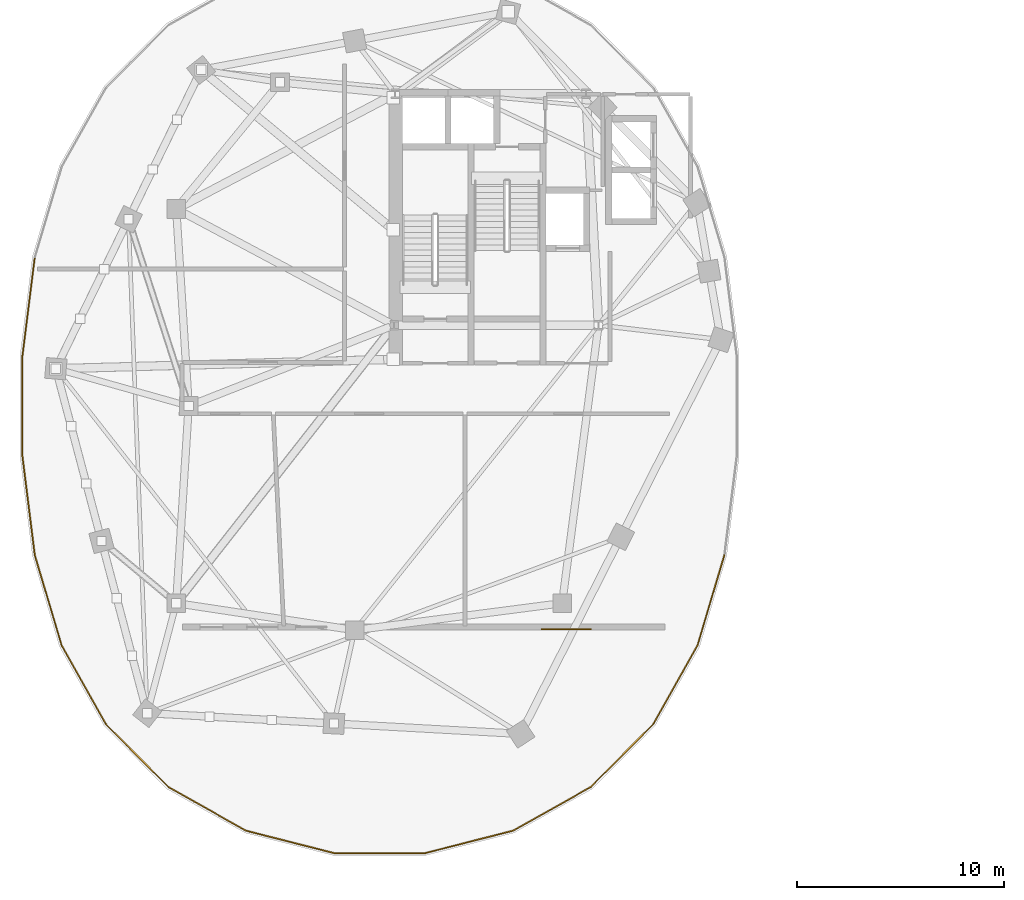
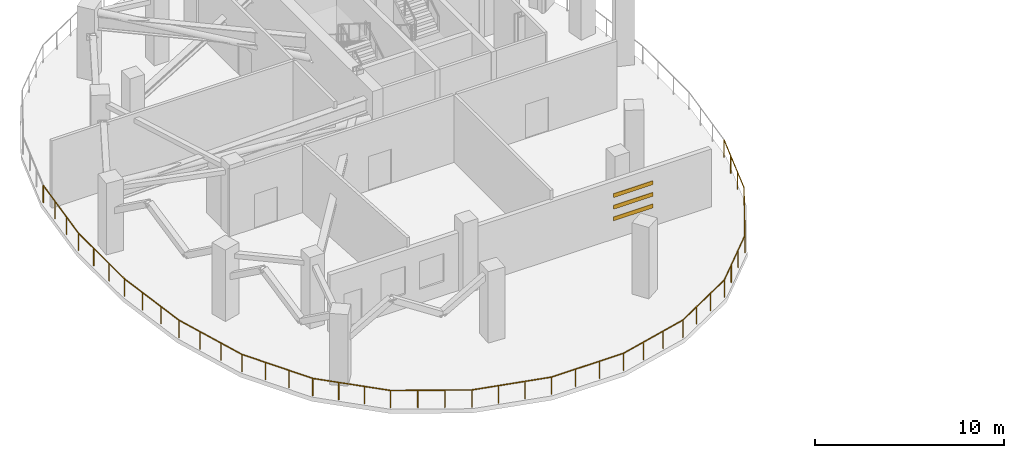
# One storey, part 10 of 14: 7 railings, 3 shading devices.
"""IFC4 building model written with IfcOpenShell, lengths in metres."""

from ifc_helpers import new_model, si_unit, direction, frame, origin, origin_2d, place, context, subcontext, project, spatial, rectangle, extrude, material, material_profile, profile_set, type_object, element, save


model = new_model("IFC4")

# Units and contexts
model_context = context("Model", 3, precision=1e-05, world=origin(), true_north=direction((0.0, 1.0)))
body_context = subcontext(model_context, "Body", "Model", "MODEL_VIEW")
ifc_project = project(units=[si_unit("LENGTHUNIT", "METRE"), si_unit("AREAUNIT", "SQUARE_METRE"), si_unit("VOLUMEUNIT", "CUBIC_METRE"), si_unit("PLANEANGLEUNIT", "RADIAN"), si_unit("MASSUNIT", "GRAM", prefix="KILO"), si_unit("THERMODYNAMICTEMPERATUREUNIT", "KELVIN"), si_unit("POWERUNIT", "WATT")], contexts=[model_context])

# Site, building, storey
site_placement = place(None, origin())
site = spatial("IfcSite", under=ifc_project, at=site_placement, CompositionType="ELEMENT")
building_placement = place(site_placement, origin())
building = spatial("IfcBuilding", under=site, at=building_placement, Name="Cundina Bronze Exchange", CompositionType="ELEMENT")
storey_placement = place(building_placement, frame((0.0, 0.0, 187.199951171875)))
storey = spatial("IfcBuildingStorey", under=building, at=storey_placement, Name="L49", CompositionType="ELEMENT", Elevation=187.199951171875)

# Railings
ifc_material = material(Name="Anodised Bronze Aluminium 6063-T6", Category="aluminium")
railing_type = type_object("IfcRailingType", Name="RLG-GRD-1150", PredefinedType="GUARDRAIL", material=ifc_material)
railing_1_placement = place(storey_placement, frame((-15.3828125, -7.17529296875, 0.0)))
element("IfcRailing", 1, at=railing_1_placement, inside=storey, type_object=railing_type, Name="L49 Perimeter Safety Guardrail 02", PredefinedType="GUARDRAIL", context=body_context, shape_type="SweptSolid", body=[
    extrude(rectangle(XDim=0.048095703125, YDim=0.048095703125, at=origin_2d()), frame((0.0, 0.0, 1.1259765625), z_axis=(-0.284864013169, -0.958567939168, 0.0), x_axis=(0.958567939168, -0.284864013169, 0.0)), (0.0, 0.0, 1.0), 4.564697265625),
    extrude(rectangle(XDim=0.048095703125, YDim=0.048095703125, at=origin_2d()), frame((-1.30029296875, -4.37548828125, 1.1259765625), z_axis=(-0.491134584651, -0.871083704221, 0.0), x_axis=(0.871083704221, -0.491134584651, 0.0)), (0.0, 0.0, 1.0), 4.35205078125),
    extrude(rectangle(XDim=0.0419921875, YDim=0.0419921875, at=origin_2d()), origin(), (0.0, 0.0, 1.0), 1.101806640625),
    extrude(rectangle(XDim=0.0419921875, YDim=0.0419921875, at=origin_2d()), frame((-0.433349609375, -1.45849609375, 0.0)), (0.0, 0.0, 1.0), 1.101806640625),
    extrude(rectangle(XDim=0.0419921875, YDim=0.0419921875, at=origin_2d()), frame((-0.866943359375, -2.9169921875, 0.0)), (0.0, 0.0, 1.0), 1.101806640625),
    extrude(rectangle(XDim=0.0419921875, YDim=0.0419921875, at=origin_2d()), frame((-1.30029296875, -4.37548828125, 0.0)), (0.0, 0.0, 1.0), 1.101806640625),
    extrude(rectangle(XDim=0.0419921875, YDim=0.0419921875, at=origin_2d()), frame((-2.0126953125, -5.63916015625, 0.0)), (0.0, 0.0, 1.0), 1.101806640625),
    extrude(rectangle(XDim=0.0419921875, YDim=0.0419921875, at=origin_2d()), frame((-2.725341796875, -6.90283203125, 0.0)), (0.0, 0.0, 1.0), 1.101806640625),
    extrude(rectangle(XDim=0.0419921875, YDim=0.0419921875, at=origin_2d()), frame((-3.437744140625, -8.16650390625, 0.0)), (0.0, 0.0, 1.0), 1.101806640625),
])
railing_2_placement = place(storey_placement, frame((-18.820556640625, -15.341796875, 0.0)))
element("IfcRailing", 2, at=railing_2_placement, inside=storey, type_object=railing_type, Name="L49 Perimeter Safety Guardrail 03", PredefinedType="GUARDRAIL", context=body_context, shape_type="SweptSolid", body=[
    extrude(rectangle(XDim=0.048095703125, YDim=0.048095703125, at=origin_2d()), frame((0.0, 0.0, 1.1259765625), z_axis=(-0.705213293252, -0.70899521227, 0.0), x_axis=(0.70899521227, -0.705213293252, 0.0)), (0.0, 0.0, 1.0), 4.260498046875),
    extrude(rectangle(XDim=0.048095703125, YDim=0.048095703125, at=origin_2d()), frame((-3.004638671875, -3.020751953125, 1.1259765625), z_axis=(-0.871962493313, -0.48957268128, 0.0), x_axis=(0.48957268128, -0.871962493313, 0.0)), (0.0, 0.0, 1.0), 4.293701171875),
    extrude(rectangle(XDim=0.0419921875, YDim=0.0419921875, at=origin_2d()), origin(), (0.0, 0.0, 1.0), 1.101806640625),
    extrude(rectangle(XDim=0.0419921875, YDim=0.0419921875, at=origin_2d()), frame((-1.00146484375, -1.0068359375, 0.0)), (0.0, 0.0, 1.0), 1.101806640625),
    extrude(rectangle(XDim=0.0419921875, YDim=0.0419921875, at=origin_2d()), frame((-2.003173828125, -2.013916015625, 0.0)), (0.0, 0.0, 1.0), 1.101806640625),
    extrude(rectangle(XDim=0.0419921875, YDim=0.0419921875, at=origin_2d()), frame((-3.004638671875, -3.020751953125, 0.0)), (0.0, 0.0, 1.0), 1.101806640625),
    extrude(rectangle(XDim=0.0419921875, YDim=0.0419921875, at=origin_2d()), frame((-4.252685546875, -3.721435546875, 0.0)), (0.0, 0.0, 1.0), 1.101806640625),
    extrude(rectangle(XDim=0.0419921875, YDim=0.0419921875, at=origin_2d()), frame((-5.50048828125, -4.422119140625, 0.0)), (0.0, 0.0, 1.0), 1.101806640625),
    extrude(rectangle(XDim=0.0419921875, YDim=0.0419921875, at=origin_2d()), frame((-6.74853515625, -5.122802734375, 0.0)), (0.0, 0.0, 1.0), 1.101806640625),
])
railing_3_placement = place(storey_placement, frame((-25.569091796875, -20.464599609375, 0.0)))
element("IfcRailing", 3, at=railing_3_placement, inside=storey, type_object=railing_type, Name="L49 Perimeter Safety Guardrail 04", PredefinedType="GUARDRAIL", context=body_context, shape_type="SweptSolid", body=[
    extrude(rectangle(XDim=0.048095703125, YDim=0.048095703125, at=origin_2d()), frame((0.0, 0.0, 1.1259765625), z_axis=(-0.969034209537, -0.246926508799, 0.0), x_axis=(0.246926508799, -0.969034209537, 0.0)), (0.0, 0.0, 1.0), 4.3671875),
    extrude(rectangle(XDim=0.048095703125, YDim=0.048095703125, at=origin_2d()), frame((-4.23193359375, -1.078369140625, 1.1259765625), z_axis=(-1.0, 0.0, 0.0), x_axis=(0.0, -1.0, 0.0)), (0.0, 0.0, 1.0), 4.39794921875),
    extrude(rectangle(XDim=0.0419921875, YDim=0.0419921875, at=origin_2d()), origin(), (0.0, 0.0, 1.0), 1.101806640625),
    extrude(rectangle(XDim=0.0419921875, YDim=0.0419921875, at=origin_2d()), frame((-1.41064453125, -0.359375, 0.0)), (0.0, 0.0, 1.0), 1.101806640625),
    extrude(rectangle(XDim=0.0419921875, YDim=0.0419921875, at=origin_2d()), frame((-2.8212890625, -0.718994140625, 0.0)), (0.0, 0.0, 1.0), 1.101806640625),
    extrude(rectangle(XDim=0.0419921875, YDim=0.0419921875, at=origin_2d()), frame((-4.23193359375, -1.078369140625, 0.0)), (0.0, 0.0, 1.0), 1.101806640625),
    extrude(rectangle(XDim=0.0419921875, YDim=0.0419921875, at=origin_2d()), frame((-5.697998046875, -1.078369140625, 0.0)), (0.0, 0.0, 1.0), 1.101806640625),
    extrude(rectangle(XDim=0.0419921875, YDim=0.0419921875, at=origin_2d()), frame((-7.163818359375, -1.078369140625, 0.0)), (0.0, 0.0, 1.0), 1.101806640625),
    extrude(rectangle(XDim=0.0419921875, YDim=0.0419921875, at=origin_2d()), frame((-8.6298828125, -1.078369140625, 0.0)), (0.0, 0.0, 1.0), 1.101806640625),
])
railing_4_placement = place(storey_placement, frame((-34.198974609375, -21.54296875, 0.0)))
element("IfcRailing", 4, at=railing_4_placement, inside=storey, type_object=railing_type, Name="L49 Perimeter Safety Guardrail 05", PredefinedType="GUARDRAIL", context=body_context, shape_type="SweptSolid", body=[
    extrude(rectangle(XDim=0.048095703125, YDim=0.048095703125, at=origin_2d()), frame((0.0, 0.0, 1.1259765625), z_axis=(-0.969034209537, 0.246926508799, 0.0), x_axis=(-0.246926508799, -0.969034209537, 0.0)), (0.0, 0.0, 1.0), 4.3671875),
    extrude(rectangle(XDim=0.048095703125, YDim=0.048095703125, at=origin_2d()), frame((-4.23193359375, 1.078369140625, 1.1259765625), z_axis=(-0.871962493313, 0.48957268128, 0.0), x_axis=(-0.48957268128, -0.871962493313, 0.0)), (0.0, 0.0, 1.0), 4.293701171875),
    extrude(rectangle(XDim=0.0419921875, YDim=0.0419921875, at=origin_2d()), origin(), (0.0, 0.0, 1.0), 1.101806640625),
    extrude(rectangle(XDim=0.0419921875, YDim=0.0419921875, at=origin_2d()), frame((-1.41064453125, 0.359375, 0.0)), (0.0, 0.0, 1.0), 1.101806640625),
    extrude(rectangle(XDim=0.0419921875, YDim=0.0419921875, at=origin_2d()), frame((-2.8212890625, 0.718994140625, 0.0)), (0.0, 0.0, 1.0), 1.101806640625),
    extrude(rectangle(XDim=0.0419921875, YDim=0.0419921875, at=origin_2d()), frame((-4.23193359375, 1.078369140625, 0.0)), (0.0, 0.0, 1.0), 1.101806640625),
    extrude(rectangle(XDim=0.0419921875, YDim=0.0419921875, at=origin_2d()), frame((-5.47998046875, 1.779052734375, 0.0)), (0.0, 0.0, 1.0), 1.101806640625),
    extrude(rectangle(XDim=0.0419921875, YDim=0.0419921875, at=origin_2d()), frame((-6.727783203125, 2.479736328125, 0.0)), (0.0, 0.0, 1.0), 1.101806640625),
    extrude(rectangle(XDim=0.0419921875, YDim=0.0419921875, at=origin_2d()), frame((-7.975830078125, 3.180419921875, 0.0)), (0.0, 0.0, 1.0), 1.101806640625),
])
railing_5_placement = place(storey_placement, frame((-42.1748046875, -18.362548828125, 0.0)))
element("IfcRailing", 5, at=railing_5_placement, inside=storey, type_object=railing_type, Name="L49 Perimeter Safety Guardrail 06", PredefinedType="GUARDRAIL", context=body_context, shape_type="SweptSolid", body=[
    extrude(rectangle(XDim=0.048095703125, YDim=0.048095703125, at=origin_2d()), frame((0.0, 0.0, 1.1259765625), z_axis=(-0.705213293252, 0.70899521227, 0.0), x_axis=(-0.70899521227, -0.705213293252, 0.0)), (0.0, 0.0, 1.0), 4.260498046875),
    extrude(rectangle(XDim=0.048095703125, YDim=0.048095703125, at=origin_2d()), frame((-3.004638671875, 3.020751953125, 1.1259765625), z_axis=(-0.491134584651, 0.871083704221, 0.0), x_axis=(-0.871083704221, -0.491134584651, 0.0)), (0.0, 0.0, 1.0), 4.35205078125),
    extrude(rectangle(XDim=0.0419921875, YDim=0.0419921875, at=origin_2d()), origin(), (0.0, 0.0, 1.0), 1.101806640625),
    extrude(rectangle(XDim=0.0419921875, YDim=0.0419921875, at=origin_2d()), frame((-1.00146484375, 1.0068359375, 0.0)), (0.0, 0.0, 1.0), 1.101806640625),
    extrude(rectangle(XDim=0.0419921875, YDim=0.0419921875, at=origin_2d()), frame((-2.003173828125, 2.013916015625, 0.0)), (0.0, 0.0, 1.0), 1.101806640625),
    extrude(rectangle(XDim=0.0419921875, YDim=0.0419921875, at=origin_2d()), frame((-3.004638671875, 3.020751953125, 0.0)), (0.0, 0.0, 1.0), 1.101806640625),
    extrude(rectangle(XDim=0.0419921875, YDim=0.0419921875, at=origin_2d()), frame((-3.717041015625, 4.284423828125, 0.0)), (0.0, 0.0, 1.0), 1.101806640625),
    extrude(rectangle(XDim=0.0419921875, YDim=0.0419921875, at=origin_2d()), frame((-4.4296875, 5.548095703125, 0.0)), (0.0, 0.0, 1.0), 1.101806640625),
    extrude(rectangle(XDim=0.0419921875, YDim=0.0419921875, at=origin_2d()), frame((-5.14208984375, 6.811767578125, 0.0)), (0.0, 0.0, 1.0), 1.101806640625),
])
railing_6_placement = place(storey_placement, frame((-47.31689453125, -11.55078125, 0.0)))
element("IfcRailing", 6, at=railing_6_placement, inside=storey, type_object=railing_type, Name="L49 Perimeter Safety Guardrail 07", PredefinedType="GUARDRAIL", context=body_context, shape_type="SweptSolid", body=[
    extrude(rectangle(XDim=0.048095703125, YDim=0.048095703125, at=origin_2d()), frame((0.0, 0.0, 1.1259765625), z_axis=(-0.284864013169, 0.958567939168, 0.0), x_axis=(-0.958567939168, -0.284864013169, 0.0)), (0.0, 0.0, 1.0), 4.564697265625),
    extrude(rectangle(XDim=0.048095703125, YDim=0.048095703125, at=origin_2d()), frame((-1.30029296875, 4.37548828125, 1.1259765625), z_axis=(-0.123846086367, 0.992301439529, 0.0), x_axis=(-0.992301439529, -0.123846086367, 0.0)), (0.0, 0.0, 1.0), 4.778564453125),
    extrude(rectangle(XDim=0.0419921875, YDim=0.0419921875, at=origin_2d()), origin(), (0.0, 0.0, 1.0), 1.101806640625),
    extrude(rectangle(XDim=0.0419921875, YDim=0.0419921875, at=origin_2d()), frame((-0.433349609375, 1.45849609375, 0.0)), (0.0, 0.0, 1.0), 1.101806640625),
    extrude(rectangle(XDim=0.0419921875, YDim=0.0419921875, at=origin_2d()), frame((-0.866943359375, 2.9169921875, 0.0)), (0.0, 0.0, 1.0), 1.101806640625),
    extrude(rectangle(XDim=0.0419921875, YDim=0.0419921875, at=origin_2d()), frame((-1.30029296875, 4.37548828125, 0.0)), (0.0, 0.0, 1.0), 1.101806640625),
    extrude(rectangle(XDim=0.0419921875, YDim=0.0419921875, at=origin_2d()), frame((-1.49755859375, 5.9560546875, 0.0)), (0.0, 0.0, 1.0), 1.101806640625),
    extrude(rectangle(XDim=0.0419921875, YDim=0.0419921875, at=origin_2d()), frame((-1.69482421875, 7.53662109375, 0.0)), (0.0, 0.0, 1.0), 1.101806640625),
    extrude(rectangle(XDim=0.0419921875, YDim=0.0419921875, at=origin_2d()), frame((-1.89208984375, 9.1171875, 0.0)), (0.0, 0.0, 1.0), 1.101806640625),
])
railing_7_placement = place(storey_placement, frame((-49.208984375, -2.43359375, 0.0)))
element("IfcRailing", 7, at=railing_7_placement, inside=storey, type_object=railing_type, Name="L49 Perimeter Safety Guardrail 08", PredefinedType="GUARDRAIL", context=body_context, shape_type="SweptSolid", body=[
    extrude(rectangle(XDim=0.048095703125, YDim=0.048095703125, at=origin_2d()), frame((0.0, 0.0, 1.1259765625), z_axis=(0.0, 1.0, 0.0), x_axis=(-1.0, 0.0, 0.0)), (0.0, 0.0, 1.0), 4.8671875),
    extrude(rectangle(XDim=0.048095703125, YDim=0.048095703125, at=origin_2d()), frame((0.0, 4.8671875, 1.1259765625), z_axis=(0.123846086367, 0.992301439529, 0.0), x_axis=(-0.992301439529, 0.123846086367, 0.0)), (0.0, 0.0, 1.0), 4.778564453125),
    extrude(rectangle(XDim=0.0419921875, YDim=0.0419921875, at=origin_2d()), origin(), (0.0, 0.0, 1.0), 1.101806640625),
    extrude(rectangle(XDim=0.0419921875, YDim=0.0419921875, at=origin_2d()), frame((0.0, 1.622314453125, 0.0)), (0.0, 0.0, 1.0), 1.101806640625),
    extrude(rectangle(XDim=0.0419921875, YDim=0.0419921875, at=origin_2d()), frame((0.0, 3.244873046875, 0.0)), (0.0, 0.0, 1.0), 1.101806640625),
    extrude(rectangle(XDim=0.0419921875, YDim=0.0419921875, at=origin_2d()), frame((0.0, 4.8671875, 0.0)), (0.0, 0.0, 1.0), 1.101806640625),
    extrude(rectangle(XDim=0.0419921875, YDim=0.0419921875, at=origin_2d()), frame((0.197265625, 6.44775390625, 0.0)), (0.0, 0.0, 1.0), 1.101806640625),
    extrude(rectangle(XDim=0.0419921875, YDim=0.0419921875, at=origin_2d()), frame((0.39453125, 8.0283203125, 0.0)), (0.0, 0.0, 1.0), 1.101806640625),
    extrude(rectangle(XDim=0.0419921875, YDim=0.0419921875, at=origin_2d()), frame((0.591796875, 9.60888671875, 0.0)), (0.0, 0.0, 1.0), 1.101806640625),
])

# Shading devices
ifc_material_profile = material_profile(ifc_material, rectangle(XDim=0.06005859375, YDim=0.25, at=origin_2d()), Name="LVR60X250", Category="aluminium")
ifc_profile_set = profile_set([ifc_material_profile], Name="Anodised Bronze Aluminium 6063-T6")
shading_device_type = type_object("IfcShadingDeviceType", Name="SHD-LVR-BRZ250", PredefinedType="JALOUSIE", material=ifc_profile_set)
for number, where, z_axis, x_axis, name in (
    (8, (-24.199951171875, -10.760009765625, 1.300048828125), (1.0, 0.0, 0.0), (0.0, 1.0, 0.0), "L49 Leg W Plant Intake Jalousie Louvre 1"),
    (9, (-24.199951171875, -10.760009765625, 2.050048828125), (1.0, 0.0, 0.0), (0.0, 1.0, 0.0), "L49 Leg W Plant Intake Jalousie Louvre 2"),
    (10, (-24.199951171875, -10.760009765625, 2.800048828125), (1.0, 0.0, 0.0), (0.0, 1.0, 0.0), "L49 Leg W Plant Intake Jalousie Louvre 3"),
):
    element("IfcShadingDevice", number, at=place(storey_placement, frame(where, z_axis=z_axis, x_axis=x_axis)), inside=storey, type_object=shading_device_type, Name=name, PredefinedType="JALOUSIE", context=body_context, shape_type="SweptSolid", body=[
        extrude(rectangle(XDim=0.06005859375, YDim=0.25, at=origin_2d()), origin(), (0.0, 0.0, 1.0), 2.39990234375),
    ])

save(model, "model.ifc")
